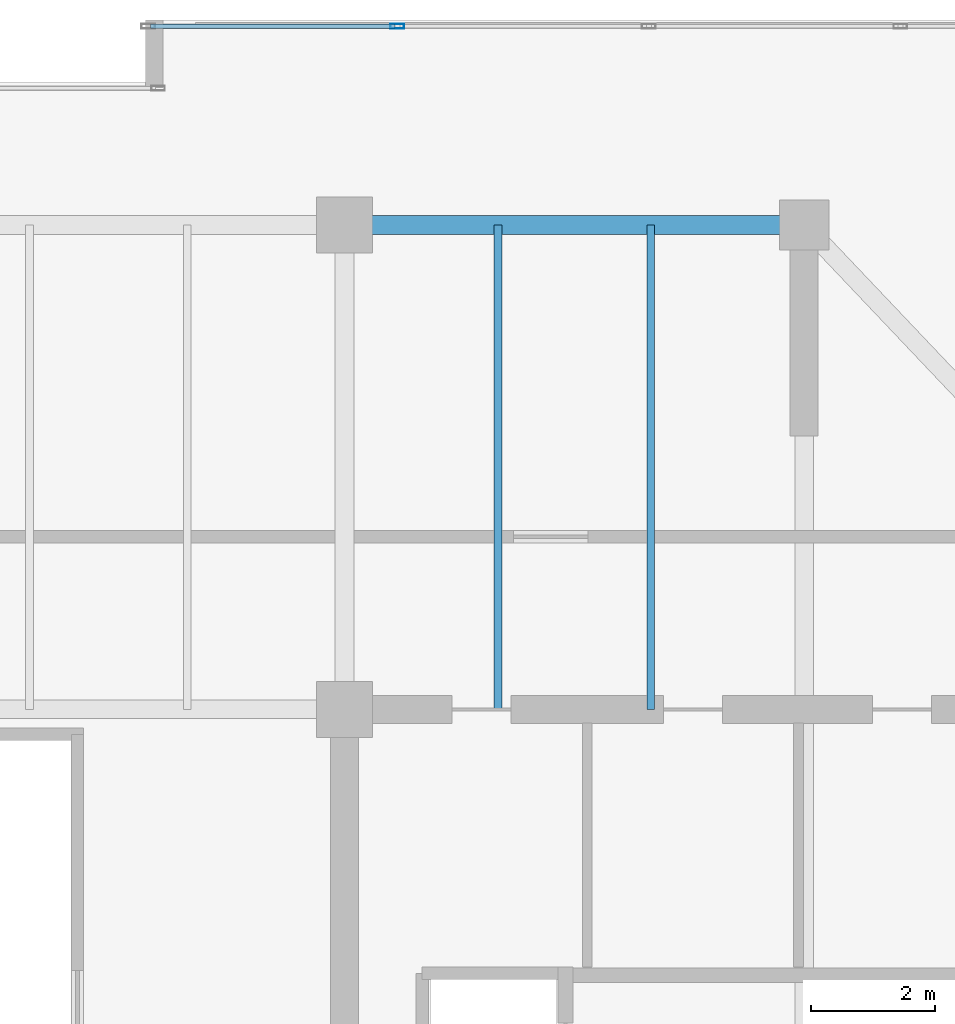
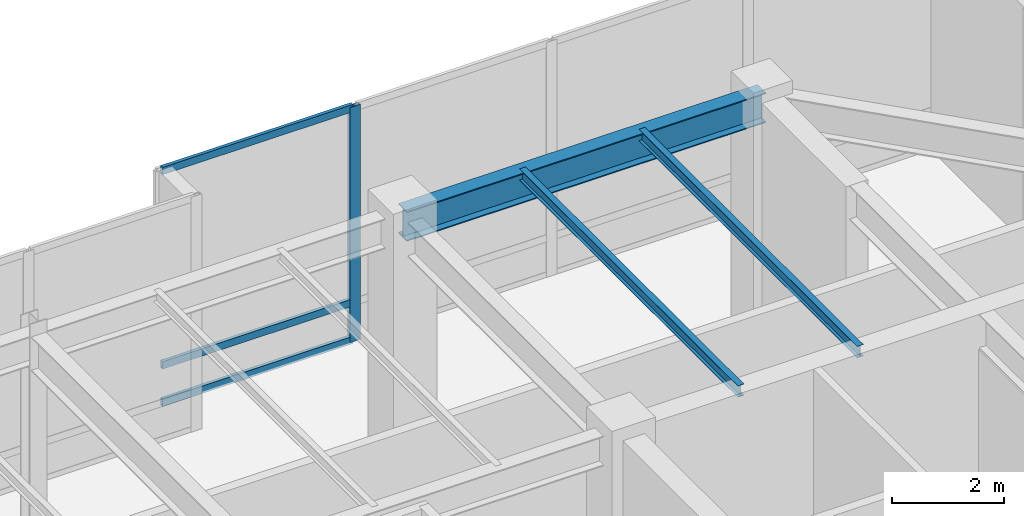
# One storey, part 21 of 30: 4 members, 3 beams, 1 element without a shape of its own.
"""IFC4 building model written with IfcOpenShell, lengths in metres."""

from ifc_helpers import new_model, si_unit, direction, frame, origin, origin_2d, place, context, subcontext, project, spatial, hollow_rectangle, i_section, extrude, source, transform, mapped, material, layer, layer_set, material_profile, profile_set, type_object, type_shapes, element, aggregate, save


model = new_model("IFC4")

# Units and contexts
model_context = context("Model", 3, precision=1e-05, world=origin(), true_north=direction((0.0, 1.0)))
body_context = subcontext(model_context, "Body", "Model", "MODEL_VIEW")
ifc_project = project(units=[si_unit("LENGTHUNIT", "METRE"), si_unit("AREAUNIT", "SQUARE_METRE"), si_unit("VOLUMEUNIT", "CUBIC_METRE"), si_unit("PLANEANGLEUNIT", "RADIAN"), si_unit("MASSUNIT", "GRAM", prefix="KILO")], contexts=[model_context])

# Site, building, storey
site_placement = place(None, origin())
site = spatial("IfcSite", under=ifc_project, at=site_placement, CompositionType="ELEMENT")
building_placement = place(site_placement, origin())
building = spatial("IfcBuilding", under=site, at=building_placement, Name="Haelvirn Gate Laboratories", CompositionType="ELEMENT")
storey_placement = place(building_placement, frame((0.0, 0.0, 332.39990234375)))
storey = spatial("IfcBuildingStorey", under=building, at=storey_placement, Name="L79", CompositionType="ELEMENT", Elevation=332.39990234375)

# Beams
ifc_material_1 = material(Name="Steel SM355", Category="steel")
ifc_material_profile_1 = material_profile(ifc_material_1, i_section(OverallWidth=0.300048828125, OverallDepth=0.64990234375, WebThickness=0.012939453125, FlangeThickness=0.02197265625, at=origin_2d()), Name="H-650x300x13x22")
ifc_profile_set_1 = profile_set([ifc_material_profile_1], Name="Steel SM355")
beam_type_1 = type_object("IfcBeamType", Name="BM-G-650", PredefinedType="BEAM", material=ifc_profile_set_1)
shared_shape_1 = source(origin(), body_context, "Body", "SweptSolid", [
    extrude(i_section(OverallWidth=0.300048828125, OverallDepth=0.64990234375, WebThickness=0.012939453125, FlangeThickness=0.02197265625, at=origin_2d()), origin(), (0.0, 0.0, 1.0), 7.39990234375),
])
type_shapes(beam_type_1, [shared_shape_1])
beam_placement = place(storey_placement, frame((52.60009765625, 41.60009765625, 4.795166015625), z_axis=(1.0, 0.0, 0.0), x_axis=(0.0, 1.0, 0.0)))
element("IfcBeam", 1, at=beam_placement, inside=storey, type_object=beam_type_1, Name="L79 Primary Girder Y41.6 (52.6-60.0)", PredefinedType="BEAM", context=body_context, shape_type="MappedRepresentation", body=[
    mapped(shared_shape_1, transform((0.0, 0.0, 0.0), scale=1.0)),
])
ifc_material_profile_2 = material_profile(ifc_material_1, i_section(OverallWidth=0.125, OverallDepth=0.25, WebThickness=0.006103515625, FlangeThickness=0.009033203125, at=origin_2d()), Name="H-250x125x6x9")
ifc_profile_set_2 = profile_set([ifc_material_profile_2], Name="Steel SM355")
beam_type_2 = type_object("IfcBeamType", Name="BM-J-250", PredefinedType="JOIST", material=ifc_profile_set_2)
shared_shape_2 = source(origin(), body_context, "Body", "SweptSolid", [
    extrude(i_section(OverallWidth=0.125, OverallDepth=0.25, WebThickness=0.006103515625, FlangeThickness=0.009033203125, at=origin_2d()), origin(), (0.0, 0.0, 1.0), 7.800048828125),
])
type_shapes(beam_type_2, [shared_shape_2])
for number, where, z_axis, x_axis, name in (
    (2, (55.070068359375, 33.800048828125, 4.9951171875), (0.0, 1.0, 0.0), (-1.0, 0.0, 0.0), "L79 Composite Lab Joist North X55.07"),
    (3, (57.530029296875, 33.800048828125, 4.9951171875), (0.0, 1.0, 0.0), (-1.0, 0.0, 0.0), "L79 Composite Lab Joist North X57.53"),
):
    element("IfcBeam", number, at=place(storey_placement, frame(where, z_axis=z_axis, x_axis=x_axis)), inside=storey, type_object=beam_type_2, Name=name, PredefinedType="JOIST", context=body_context, shape_type="MappedRepresentation", body=[
        mapped(shared_shape_2, transform((0.0, 0.0, 0.0), scale=1.0)),
    ])

# Curtain wall, members
ifc_material_2 = material(Name="Anodised bronze unitised aluminium & triple low-E glass", Category="aluminium")
ifc_layer = layer(ifc_material_2, 0.19189453125, Name="CW-SYS-6")
ifc_layer_set = layer_set([ifc_layer], Name="Anodised bronze unitised aluminium & triple low-E glass")
curtain_wall_type = type_object("IfcCurtainWallType", Name="CW-SYS-6", PredefinedType="NOTDEFINED", material=ifc_layer_set)
curtain_wall_placement = place(storey_placement, origin())
curtain_wall = element("IfcCurtainWall", 4, at=curtain_wall_placement, inside=storey, type_object=curtain_wall_type, Name="L79 Unitised Curtain Wall CW-L79-P0-E10-1", PredefinedType="NOTDEFINED")
ifc_material_3 = material(Name="Extruded aluminium 6063-T6 (anodised bronze)", Category="aluminium")
ifc_material_profile_3 = material_profile(ifc_material_3, hollow_rectangle(XDim=0.080078125, YDim=0.219970703125, WallThickness=0.006103515625, at=origin_2d()), Name="CWM-220x80x6")
ifc_profile_set_3 = profile_set([ifc_material_profile_3], Name="Extruded aluminium 6063-T6 (anodised bronze)")
member_type_1 = type_object("IfcMemberType", Name="CWM-T220", PredefinedType="MULLION", material=ifc_profile_set_3)
shared_shape_3 = source(origin(), body_context, "Body", "SweptSolid", [
    extrude(hollow_rectangle(XDim=0.080078125, YDim=0.219970703125, WallThickness=0.006103515625, at=origin_2d()), origin(), (0.0, 0.0, 1.0), 5.1201171875),
])
type_shapes(member_type_1, [shared_shape_3])
member_1_placement = place(storey_placement, frame((53.449951171875, 44.800048828125, 0.0), z_axis=(0.0, 0.0, 1.0), x_axis=(0.0, 1.0, 0.0)))
member_1 = element("IfcMember", 5, at=member_1_placement, type_object=member_type_1, Name="CW6 mullion 2", PredefinedType="MULLION", context=body_context, shape_type="MappedRepresentation", body=[
    mapped(shared_shape_3, transform((0.0, 0.0, 0.0), scale=1.0)),
])
ifc_material_profile_4 = material_profile(ifc_material_3, hollow_rectangle(XDim=0.070068359375, YDim=0.159912109375, WallThickness=0.0048828125, at=origin_2d()), Name="CWT-160x70x5")
ifc_profile_set_4 = profile_set([ifc_material_profile_4], Name="Extruded aluminium 6063-T6 (anodised bronze)")
member_type_2 = type_object("IfcMemberType", Name="CWT-T160", PredefinedType="USERDEFINED", material=ifc_profile_set_4)
shared_shape_4 = source(origin(), body_context, "Body", "SweptSolid", [
    extrude(hollow_rectangle(XDim=0.070068359375, YDim=0.159912109375, WallThickness=0.0048828125, at=origin_2d()), origin(), (0.0, 0.0, 1.0), 3.929931640625),
])
type_shapes(member_type_2, [shared_shape_4])
member_2_placement = place(storey_placement, frame((49.47998046875, 44.800048828125, 0.03515625), z_axis=(1.0, 0.0, 0.0), x_axis=(0.0, 1.0, 0.0)))
member_2 = element("IfcMember", 6, at=member_2_placement, type_object=member_type_2, Name="CW6 transom 1.1", ObjectType="TRANSOM", PredefinedType="USERDEFINED", context=body_context, shape_type="MappedRepresentation", body=[
    mapped(shared_shape_4, transform((0.0, 0.0, 0.0), scale=1.0)),
])
member_3_placement = place(storey_placement, frame((49.47998046875, 44.800048828125, 0.85009765625), z_axis=(1.0, 0.0, 0.0), x_axis=(0.0, 1.0, 0.0)))
member_3 = element("IfcMember", 7, at=member_3_placement, type_object=member_type_2, Name="CW6 transom 1.2", ObjectType="TRANSOM", PredefinedType="USERDEFINED", context=body_context, shape_type="MappedRepresentation", body=[
    mapped(shared_shape_4, transform((0.0, 0.0, 0.0), scale=1.0)),
])
member_4_placement = place(storey_placement, frame((49.47998046875, 44.800048828125, 5.085205078125), z_axis=(1.0, 0.0, 0.0), x_axis=(0.0, 1.0, 0.0)))
member_4 = element("IfcMember", 8, at=member_4_placement, type_object=member_type_2, Name="CW6 transom 1.3", ObjectType="TRANSOM", PredefinedType="USERDEFINED", context=body_context, shape_type="MappedRepresentation", body=[
    mapped(shared_shape_4, transform((0.0, 0.0, 0.0), scale=1.0)),
])
aggregate(curtain_wall, [member_1, member_2, member_3, member_4])

save(model, "model.ifc")
